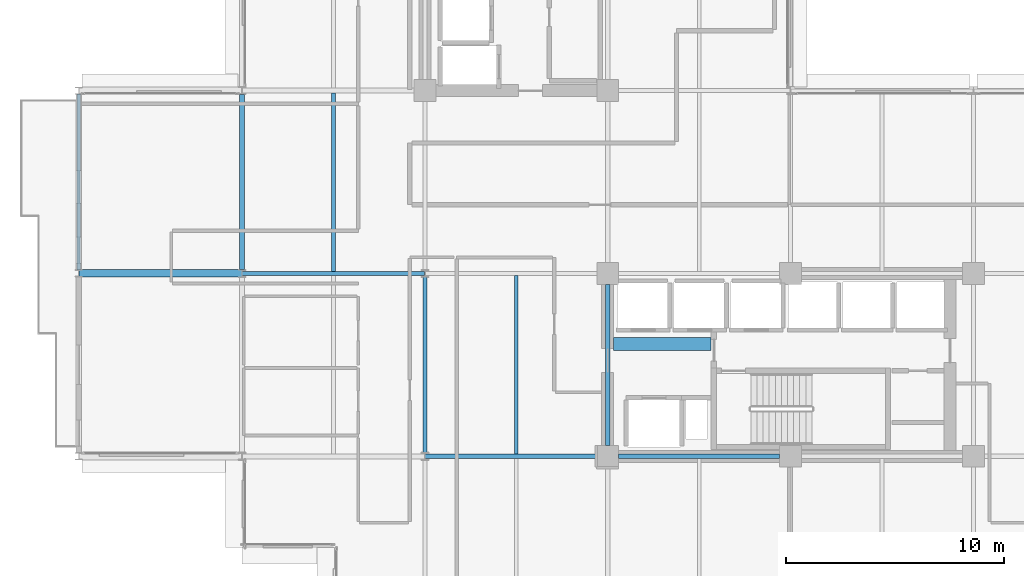
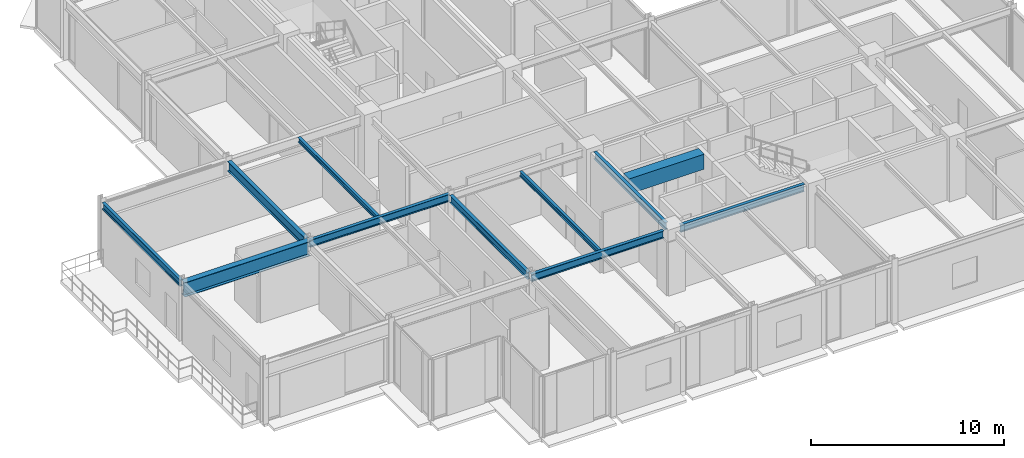
# One storey, part 8 of 29: 11 beams.
"""IFC4 building model written with IfcOpenShell, lengths in metres."""

from ifc_helpers import new_model, si_unit, direction, frame, origin, origin_2d, place, context, subcontext, project, spatial, rectangle, i_section, extrude, material, material_profile, profile_set, type_object, element, save


model = new_model("IFC4")

# Units and contexts
model_context = context("Model", 3, precision=1e-05, world=origin(), true_north=direction((0.0, 1.0)))
body_context = subcontext(model_context, "Body", "Model", "MODEL_VIEW")
ifc_project = project(units=[si_unit("LENGTHUNIT", "METRE"), si_unit("AREAUNIT", "SQUARE_METRE"), si_unit("VOLUMEUNIT", "CUBIC_METRE"), si_unit("PLANEANGLEUNIT", "RADIAN"), si_unit("MASSUNIT", "GRAM", prefix="KILO")], contexts=[model_context])

# Site, building, storey
site_placement = place(None, origin())
site = spatial("IfcSite", under=ifc_project, at=site_placement, CompositionType="ELEMENT")
building_placement = place(site_placement, origin())
building = spatial("IfcBuilding", under=site, at=building_placement, Name="Nerrivon Quay Data Exchange", CompositionType="ELEMENT")
storey_placement = place(building_placement, frame((0.0, 0.0, 191.89990234375)))
storey = spatial("IfcBuildingStorey", under=building, at=storey_placement, Name="L45", CompositionType="ELEMENT", Elevation=191.89990234375)

# Beams
ifc_material_1 = material(Name="Steel Grade 350", Category="steel")
ifc_material_profile_1 = material_profile(ifc_material_1, i_section(OverallWidth=0.35009765625, OverallDepth=0.909912109375, WebThickness=0.011962890625, FlangeThickness=0.02490234375, at=origin_2d()), Name="900WB218")
ifc_profile_set_1 = profile_set([ifc_material_profile_1], Name="Steel Grade 350")
beam_type_1 = type_object("IfcBeamType", Name="BM-CANT-900WB", PredefinedType="USERDEFINED", material=ifc_profile_set_1)
beam_1_placement = place(storey_placement, frame((-0.010009765625, 16.800048828125, 3.3701171875), z_axis=(-1.0, 0.0, 0.0), x_axis=(0.0, -1.0, 0.0)))
element("IfcBeam", 1, at=beam_1_placement, inside=storey, type_object=beam_type_1, Name="L45 West Hooked Cantilever Girder Y=16.8", ObjectType="TRANSFER", PredefinedType="USERDEFINED", context=body_context, shape_type="SweptSolid", body=[
    extrude(i_section(OverallWidth=0.35009765625, OverallDepth=0.909912109375, WebThickness=0.011962890625, FlangeThickness=0.02490234375, at=origin_2d()), origin(), (0.0, 0.0, 1.0), 7.482177734375),
])
ifc_material_2 = material(Name="Concrete N50 (50 MPa)", Category="concrete")
ifc_material_profile_2 = material_profile(ifc_material_2, rectangle(XDim=0.60009765625, YDim=0.949951171875, at=origin_2d()), Name="RC-CB-600x950")
ifc_profile_set_2 = profile_set([ifc_material_profile_2], Name="Concrete N50 (50 MPa)")
beam_type_2 = type_object("IfcBeamType", Name="BM-CB2-600x950", PredefinedType="LINTEL", material=ifc_profile_set_2)
beam_2_placement = place(storey_placement, frame((17.074951171875, 13.550048828125, 3.35009765625), z_axis=(1.0, 0.0, 0.0), x_axis=(0.0, 1.0, 0.0)))
element("IfcBeam", 2, at=beam_2_placement, inside=storey, type_object=beam_type_2, Name="L45 East Core Coupling Beam", PredefinedType="LINTEL", context=body_context, shape_type="SweptSolid", body=[
    extrude(rectangle(XDim=0.60009765625, YDim=0.949951171875, at=origin_2d()), origin(), (0.0, 0.0, 1.0), 4.47998046875),
])
ifc_material_profile_3 = material_profile(ifc_material_1, i_section(OverallWidth=0.22802734375, OverallDepth=0.60205078125, WebThickness=0.010498046875, FlangeThickness=0.014892578125, FilletRadius=0.013916015625, at=origin_2d()), Name="610UB101")
ifc_profile_set_3 = profile_set([ifc_material_profile_3], Name="Steel Grade 350")
beam_type_3 = type_object("IfcBeamType", Name="BM-G2-610UB101", PredefinedType="BEAM", material=ifc_profile_set_3)
beam_3_placement = place(storey_placement, frame((0.0, 16.97509765625, 3.524169921875), z_axis=(0.0, 1.0, 0.0), x_axis=(-1.0, 0.0, 0.0)))
element("IfcBeam", 3, at=beam_3_placement, inside=storey, type_object=beam_type_3, Name="L45 NS Girder X=0.0 (16.8..25.2)", PredefinedType="BEAM", context=body_context, shape_type="SweptSolid", body=[
    extrude(i_section(OverallWidth=0.22802734375, OverallDepth=0.60205078125, WebThickness=0.010498046875, FlangeThickness=0.014892578125, FilletRadius=0.013916015625, at=origin_2d()), origin(), (0.0, 0.0, 1.0), 8.0498046875),
])
ifc_material_profile_4 = material_profile(ifc_material_1, i_section(OverallWidth=0.19091796875, OverallDepth=0.4599609375, WebThickness=0.010009765625, FlangeThickness=0.01611328125, FilletRadius=0.011474609375, at=origin_2d()), Name="460UB82.1")
ifc_profile_set_4 = profile_set([ifc_material_profile_4], Name="Steel Grade 350")
beam_type_4 = type_object("IfcBeamType", Name="BM-G5-460UB82", PredefinedType="BEAM", material=ifc_profile_set_4)
beam_4_placement = place(storey_placement, frame((8.409912109375, 8.39990234375, 3.59521484375), z_axis=(1.0, 0.0, 0.0), x_axis=(0.0, 1.0, 0.0)))
element("IfcBeam", 4, at=beam_4_placement, inside=storey, type_object=beam_type_4, Name="L45 EW Girder Y=8.4 (8.4..16.8)", PredefinedType="BEAM", context=body_context, shape_type="SweptSolid", body=[
    extrude(i_section(OverallWidth=0.19091796875, OverallDepth=0.4599609375, WebThickness=0.010009765625, FlangeThickness=0.01611328125, FilletRadius=0.011474609375, at=origin_2d()), origin(), (0.0, 0.0, 1.0), 7.89013671875),
])
beam_5_placement = place(storey_placement, frame((17.300048828125, 8.39990234375, 3.59521484375), z_axis=(1.0, 0.0, 0.0), x_axis=(0.0, 1.0, 0.0)))
element("IfcBeam", 5, at=beam_5_placement, inside=storey, type_object=beam_type_4, Name="L45 EW Girder Y=8.4 (16.8..25.2)", PredefinedType="BEAM", context=body_context, shape_type="SweptSolid", body=[
    extrude(i_section(OverallWidth=0.19091796875, OverallDepth=0.4599609375, WebThickness=0.010009765625, FlangeThickness=0.01611328125, FilletRadius=0.011474609375, at=origin_2d()), origin(), (0.0, 0.0, 1.0), 7.39990234375),
])
beam_6_placement = place(storey_placement, frame((0.010009765625, 16.800048828125, 3.59521484375), z_axis=(1.0, 0.0, 0.0), x_axis=(0.0, 1.0, 0.0)))
element("IfcBeam", 6, at=beam_6_placement, inside=storey, type_object=beam_type_4, Name="L45 EW Girder Y=16.8 (0.0..8.4)", PredefinedType="BEAM", context=body_context, shape_type="SweptSolid", body=[
    extrude(i_section(OverallWidth=0.19091796875, OverallDepth=0.4599609375, WebThickness=0.010009765625, FlangeThickness=0.01611328125, FilletRadius=0.011474609375, at=origin_2d()), origin(), (0.0, 0.0, 1.0), 8.3798828125),
])
ifc_material_profile_5 = material_profile(ifc_material_1, i_section(OverallWidth=0.18994140625, OverallDepth=0.4541015625, WebThickness=0.008544921875, FlangeThickness=0.0126953125, FilletRadius=0.011474609375, at=origin_2d()), Name="460UB67.1")
ifc_profile_set_5 = profile_set([ifc_material_profile_5], Name="Steel Grade 350")
beam_type_5 = type_object("IfcBeamType", Name="BM-G6-460UB67", PredefinedType="BEAM", material=ifc_profile_set_5)
beam_7_placement = place(storey_placement, frame((8.39990234375, 8.574951171875, 3.59814453125), z_axis=(0.0, 1.0, 0.0), x_axis=(-1.0, 0.0, 0.0)))
element("IfcBeam", 7, at=beam_7_placement, inside=storey, type_object=beam_type_5, Name="L45 NS Girder X=8.4 (8.4..16.8)", PredefinedType="BEAM", context=body_context, shape_type="SweptSolid", body=[
    extrude(i_section(OverallWidth=0.18994140625, OverallDepth=0.4541015625, WebThickness=0.008544921875, FlangeThickness=0.0126953125, FilletRadius=0.011474609375, at=origin_2d()), origin(), (0.0, 0.0, 1.0), 8.050048828125),
])
beam_8_placement = place(storey_placement, frame((16.800048828125, 8.89990234375, 3.59814453125), z_axis=(0.0, 1.0, 0.0), x_axis=(-1.0, 0.0, 0.0)))
element("IfcBeam", 8, at=beam_8_placement, inside=storey, type_object=beam_type_5, Name="L45 NS Girder X=16.8 (8.4..16.8)", PredefinedType="BEAM", context=body_context, shape_type="SweptSolid", body=[
    extrude(i_section(OverallWidth=0.18994140625, OverallDepth=0.4541015625, WebThickness=0.008544921875, FlangeThickness=0.0126953125, FilletRadius=0.011474609375, at=origin_2d()), origin(), (0.0, 0.0, 1.0), 7.400146484375),
])
ifc_material_profile_6 = material_profile(ifc_material_1, i_section(OverallWidth=0.166015625, OverallDepth=0.306884765625, WebThickness=0.006591796875, FlangeThickness=0.01171875, FilletRadius=0.011474609375, at=origin_2d()), Name="310UB46.2")
ifc_profile_set_6 = profile_set([ifc_material_profile_6], Name="Steel Grade 350")
beam_type_6 = type_object("IfcBeamType", Name="BM-J5-310UB46", PredefinedType="JOIST", material=ifc_profile_set_6)
beam_9_placement = place(storey_placement, frame((4.199951171875, 16.8955078125, 3.671630859375), z_axis=(0.0, 1.0, 0.0), x_axis=(-1.0, 0.0, 0.0)))
element("IfcBeam", 9, at=beam_9_placement, inside=storey, type_object=beam_type_6, Name="L45 Secondary Joist X=4.2 (16.8..25.2)", PredefinedType="JOIST", context=body_context, shape_type="SweptSolid", body=[
    extrude(i_section(OverallWidth=0.166015625, OverallDepth=0.306884765625, WebThickness=0.006591796875, FlangeThickness=0.01171875, FilletRadius=0.011474609375, at=origin_2d()), origin(), (0.0, 0.0, 1.0), 8.18994140625),
])
beam_10_placement = place(storey_placement, frame((12.60009765625, 8.49560546875, 3.671630859375), z_axis=(0.0, 1.0, 0.0), x_axis=(-1.0, 0.0, 0.0)))
element("IfcBeam", 10, at=beam_10_placement, inside=storey, type_object=beam_type_6, Name="L45 Secondary Joist X=12.6 (8.4..16.8)", PredefinedType="JOIST", context=body_context, shape_type="SweptSolid", body=[
    extrude(i_section(OverallWidth=0.166015625, OverallDepth=0.306884765625, WebThickness=0.006591796875, FlangeThickness=0.01171875, FilletRadius=0.011474609375, at=origin_2d()), origin(), (0.0, 0.0, 1.0), 8.208984375),
])
ifc_material_profile_7 = material_profile(ifc_material_1, i_section(OverallWidth=0.177978515625, OverallDepth=0.403076171875, WebThickness=0.007568359375, FlangeThickness=0.010986328125, FilletRadius=0.011474609375, at=origin_2d()), Name="410UB53.7")
ifc_profile_set_7 = profile_set([ifc_material_profile_7], Name="Steel Grade 350")
beam_type_7 = type_object("IfcBeamType", Name="BM-SP2-410UB54", PredefinedType="SPANDREL", material=ifc_profile_set_7)
beam_11_placement = place(storey_placement, frame((-7.5, 16.96337890625, 3.62353515625), z_axis=(0.0, 1.0, 0.0), x_axis=(-1.0, 0.0, 0.0)))
element("IfcBeam", 11, at=beam_11_placement, inside=storey, type_object=beam_type_7, Name="L45 West Hooked Edge Spandrel", PredefinedType="SPANDREL", context=body_context, shape_type="SweptSolid", body=[
    extrude(i_section(OverallWidth=0.177978515625, OverallDepth=0.403076171875, WebThickness=0.007568359375, FlangeThickness=0.010986328125, FilletRadius=0.011474609375, at=origin_2d()), origin(), (0.0, 0.0, 1.0), 8.0732421875),
])

save(model, "model.ifc")
